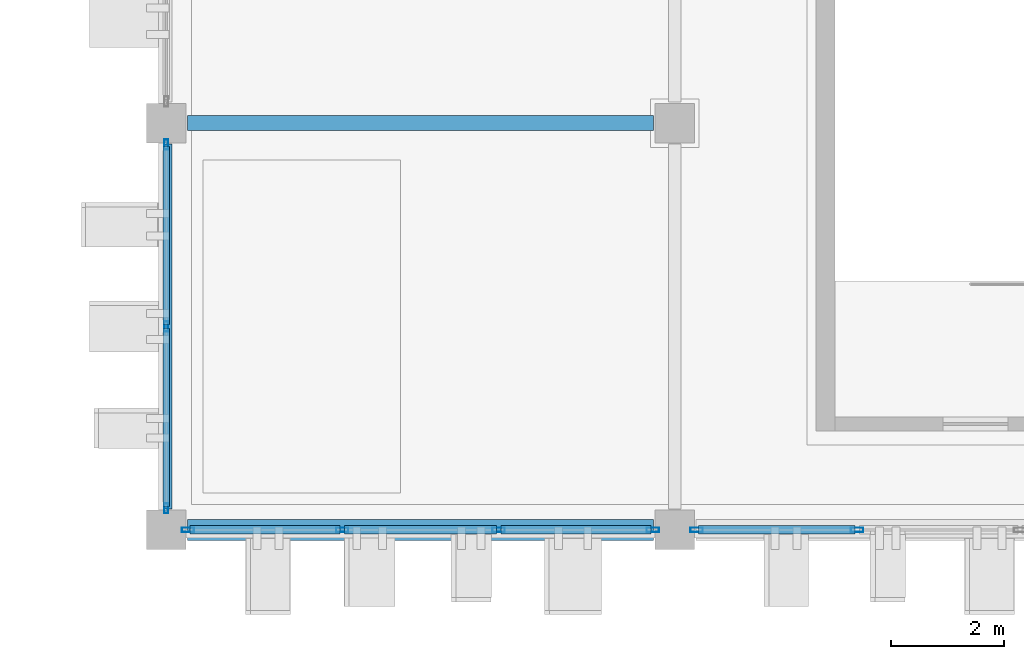
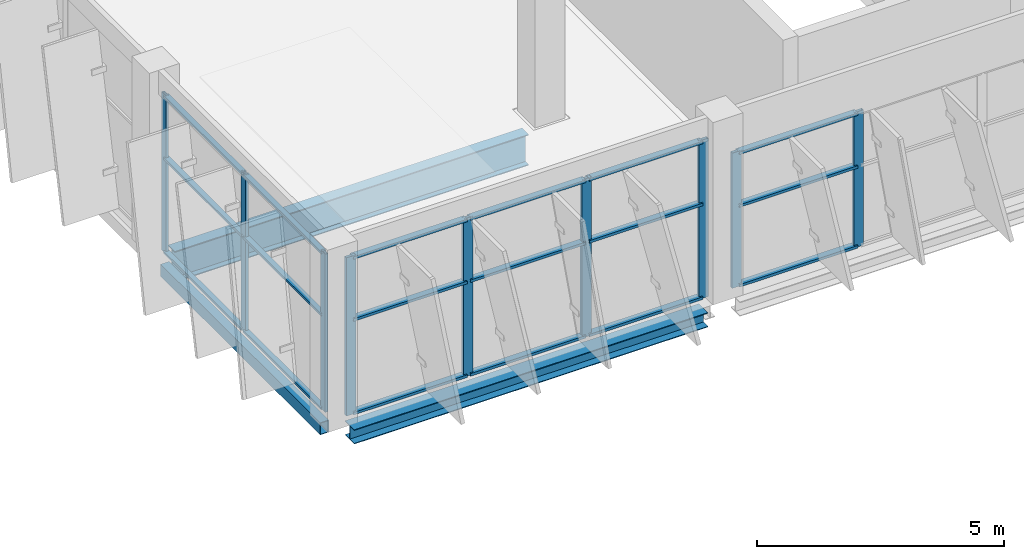
# One storey, part 33 of 151: 27 members, 3 beams, 3 elements without a shape of their own.
"""IFC4 building model written with IfcOpenShell, lengths in metres."""

from ifc_helpers import new_model, si_unit, direction, frame, origin, origin_2d, place, context, subcontext, project, spatial, hollow_rectangle, i_section, extrude, material, layer, layer_set, material_profile, profile_set, type_object, element, aggregate, save


model = new_model("IFC4")

# Units and contexts
model_context = context("Model", 3, precision=1e-05, world=origin(), true_north=direction((0.0, 1.0)))
body_context = subcontext(model_context, "Body", "Model", "MODEL_VIEW")
ifc_project = project(units=[si_unit("LENGTHUNIT", "METRE"), si_unit("AREAUNIT", "SQUARE_METRE"), si_unit("VOLUMEUNIT", "CUBIC_METRE"), si_unit("PLANEANGLEUNIT", "RADIAN"), si_unit("MASSUNIT", "GRAM", prefix="KILO")], contexts=[model_context])

# Site, building, storey
site_placement = place(None, origin())
site = spatial("IfcSite", under=ifc_project, at=site_placement, CompositionType="ELEMENT")
building_placement = place(site_placement, origin())
building = spatial("IfcBuilding", under=site, at=building_placement, Name="Celestram Park Convention Centre", CompositionType="ELEMENT")
storey_placement = place(building_placement, frame((0.0, 0.0, 10.800048828125)))
storey = spatial("IfcBuildingStorey", under=building, at=storey_placement, Name="L02", CompositionType="ELEMENT", Elevation=10.800048828125)

# Curtain wall, members
ifc_material_1 = material(Name="Anodised Aluminium Alloy 6063-T6", Category="aluminium")
ifc_layer_1 = layer(ifc_material_1, 0.179931640625)
ifc_layer_set_1 = layer_set([ifc_layer_1], Name="Anodised Aluminium Alloy 6063-T6")
curtain_wall_type_1 = type_object("IfcCurtainWallType", Name="ARC-CW-650X390", PredefinedType="NOTDEFINED", material=ifc_layer_set_1)
curtain_wall_1_placement = place(storey_placement, origin())
curtain_wall_1 = element("IfcCurtainWall", 1, at=curtain_wall_1_placement, inside=storey, type_object=curtain_wall_type_1, Name="Unitised curtain wall CU-L02-139", PredefinedType="NOTDEFINED")
ifc_material_profile_1 = material_profile(ifc_material_1, hollow_rectangle(XDim=0.06494140625, YDim=0.179931640625, WallThickness=0.00390625, at=origin_2d()), Name="ALU65X180X4")
ifc_profile_set_1 = profile_set([ifc_material_profile_1], Name="Anodised Aluminium Alloy 6063-T6")
member_type_1 = type_object("IfcMemberType", Name="ARC-CWM-150", PredefinedType="MULLION", material=ifc_profile_set_1)
member_1_placement = place(storey_placement, frame((144.0, 0.380615234375, 0.0), z_axis=(0.0, 0.0, 1.0), x_axis=(-1.0, 0.0, 0.0)))
member_1 = element("IfcMember", 2, at=member_1_placement, type_object=member_type_1, Name="CW-65X39 mullion 1", PredefinedType="MULLION", context=body_context, shape_type="SweptSolid", body=[
    extrude(hollow_rectangle(XDim=0.06494140625, YDim=0.179931640625, WallThickness=0.00390625, at=origin_2d()), origin(), (0.0, 0.0, 1.0), 3.904052734375),
])
member_2_placement = place(storey_placement, frame((144.0, 3.60009765625, 0.0), z_axis=(0.0, 0.0, 1.0), x_axis=(-1.0, 0.0, 0.0)))
member_2 = element("IfcMember", 3, at=member_2_placement, type_object=member_type_1, Name="CW-65X39 mullion 2", PredefinedType="MULLION", context=body_context, shape_type="SweptSolid", body=[
    extrude(hollow_rectangle(XDim=0.06494140625, YDim=0.179931640625, WallThickness=0.00390625, at=origin_2d()), origin(), (0.0, 0.0, 1.0), 3.904052734375),
])
member_3_placement = place(storey_placement, frame((144.0, 6.819580078125, 0.0), z_axis=(0.0, 0.0, 1.0), x_axis=(-1.0, 0.0, 0.0)))
member_3 = element("IfcMember", 4, at=member_3_placement, type_object=member_type_1, Name="CW-65X39 mullion 3", PredefinedType="MULLION", context=body_context, shape_type="SweptSolid", body=[
    extrude(hollow_rectangle(XDim=0.06494140625, YDim=0.179931640625, WallThickness=0.00390625, at=origin_2d()), origin(), (0.0, 0.0, 1.0), 3.904052734375),
])

ifc_layer_2 = layer(ifc_material_1, 0.179931640625)
ifc_layer_set_2 = layer_set([ifc_layer_2], Name="Anodised Aluminium Alloy 6063-T6")
curtain_wall_type_2 = type_object("IfcCurtainWallType", Name="ARC-CW-864X334", PredefinedType="NOTDEFINED", material=ifc_layer_set_2)
curtain_wall_2_placement = place(storey_placement, origin())
curtain_wall_2 = element("IfcCurtainWall", 5, at=curtain_wall_2_placement, inside=storey, type_object=curtain_wall_type_2, Name="Unitised curtain wall CU-L02-137", PredefinedType="NOTDEFINED")
ifc_material_profile_2 = material_profile(ifc_material_1, hollow_rectangle(XDim=0.074951171875, YDim=0.219970703125, WallThickness=0.00390625, at=origin_2d()), Name="ALU75X220X4")
ifc_profile_set_2 = profile_set([ifc_material_profile_2], Name="Anodised Aluminium Alloy 6063-T6")
member_type_2 = type_object("IfcMemberType", Name="ARC-CWM-180", PredefinedType="MULLION", material=ifc_profile_set_2)
member_4_placement = place(storey_placement, frame((156.229736328125, 0.0, 0.0), z_axis=(0.0, 0.0, 1.0), x_axis=(0.0, -1.0, 0.0)))
member_4 = element("IfcMember", 6, at=member_4_placement, type_object=member_type_2, Name="CW-86X33 mullion 3", PredefinedType="MULLION", context=body_context, shape_type="SweptSolid", body=[
    extrude(hollow_rectangle(XDim=0.074951171875, YDim=0.219970703125, WallThickness=0.00390625, at=origin_2d()), origin(), (0.0, 0.0, 1.0), 3.3359375),
])
member_5_placement = place(storey_placement, frame((153.385498046875, 0.0, 0.0), z_axis=(0.0, 0.0, 1.0), x_axis=(0.0, -1.0, 0.0)))
member_5 = element("IfcMember", 7, at=member_5_placement, type_object=member_type_2, Name="CW-86X33 mullion 4", PredefinedType="MULLION", context=body_context, shape_type="SweptSolid", body=[
    extrude(hollow_rectangle(XDim=0.074951171875, YDim=0.219970703125, WallThickness=0.00390625, at=origin_2d()), origin(), (0.0, 0.0, 1.0), 3.3359375),
])

ifc_layer_3 = layer(ifc_material_1, 0.179931640625)
ifc_layer_set_3 = layer_set([ifc_layer_3], Name="Anodised Aluminium Alloy 6063-T6")
curtain_wall_type_3 = type_object("IfcCurtainWallType", Name="ARC-CW-830X390", PredefinedType="NOTDEFINED", material=ifc_layer_set_3)
curtain_wall_3_placement = place(storey_placement, origin())
curtain_wall_3 = element("IfcCurtainWall", 8, at=curtain_wall_3_placement, inside=storey, type_object=curtain_wall_type_3, Name="Unitised curtain wall CU-L02-138", PredefinedType="NOTDEFINED")
member_6_placement = place(storey_placement, frame((152.614501953125, 0.0, 0.0), z_axis=(0.0, 0.0, 1.0), x_axis=(0.0, -1.0, 0.0)))
member_6 = element("IfcMember", 9, at=member_6_placement, type_object=member_type_2, Name="CW-83X39 mullion 1", PredefinedType="MULLION", context=body_context, shape_type="SweptSolid", body=[
    extrude(hollow_rectangle(XDim=0.074951171875, YDim=0.219970703125, WallThickness=0.00390625, at=origin_2d()), origin(), (0.0, 0.0, 1.0), 3.904052734375),
])
member_7_placement = place(storey_placement, frame((149.884033203125, 0.0, 0.0), z_axis=(0.0, 0.0, 1.0), x_axis=(0.0, -1.0, 0.0)))
member_7 = element("IfcMember", 10, at=member_7_placement, type_object=member_type_2, Name="CW-83X39 mullion 2", PredefinedType="MULLION", context=body_context, shape_type="SweptSolid", body=[
    extrude(hollow_rectangle(XDim=0.074951171875, YDim=0.219970703125, WallThickness=0.00390625, at=origin_2d()), origin(), (0.0, 0.0, 1.0), 3.904052734375),
])
member_8_placement = place(storey_placement, frame((147.115966796875, 0.0, 0.0), z_axis=(0.0, 0.0, 1.0), x_axis=(0.0, -1.0, 0.0)))
member_8 = element("IfcMember", 11, at=member_8_placement, type_object=member_type_2, Name="CW-83X39 mullion 3", PredefinedType="MULLION", context=body_context, shape_type="SweptSolid", body=[
    extrude(hollow_rectangle(XDim=0.074951171875, YDim=0.219970703125, WallThickness=0.00390625, at=origin_2d()), origin(), (0.0, 0.0, 1.0), 3.904052734375),
])
member_9_placement = place(storey_placement, frame((144.385498046875, 0.0, 0.0), z_axis=(0.0, 0.0, 1.0), x_axis=(0.0, -1.0, 0.0)))
member_9 = element("IfcMember", 12, at=member_9_placement, type_object=member_type_2, Name="CW-83X39 mullion 4", PredefinedType="MULLION", context=body_context, shape_type="SweptSolid", body=[
    extrude(hollow_rectangle(XDim=0.074951171875, YDim=0.219970703125, WallThickness=0.00390625, at=origin_2d()), origin(), (0.0, 0.0, 1.0), 3.904052734375),
])

# Member
ifc_material_profile_3 = material_profile(ifc_material_1, hollow_rectangle(XDim=0.1201171875, YDim=0.06005859375, WallThickness=0.0029296875, at=origin_2d()), Name="ALU120X60X3")
ifc_profile_set_3 = profile_set([ifc_material_profile_3], Name="Anodised Aluminium Alloy 6063-T6")
member_type_3 = type_object("IfcMemberType", Name="ARC-CWT-120", PredefinedType="USERDEFINED", material=ifc_profile_set_3)
member_10_placement = place(storey_placement, frame((144.0, 0.4130859375, 0.030029296875), z_axis=(0.0, 1.0, 0.0), x_axis=(-1.0, 0.0, 0.0)))
member_10 = element("IfcMember", 13, at=member_10_placement, type_object=member_type_3, Name="CW-65X39 transom 1.1", ObjectType="TRANSOM", PredefinedType="USERDEFINED", context=body_context, shape_type="SweptSolid", body=[
    extrude(hollow_rectangle(XDim=0.1201171875, YDim=0.06005859375, WallThickness=0.0029296875, at=origin_2d()), origin(), (0.0, 0.0, 1.0), 3.154296875),
])

member_11_placement = place(storey_placement, frame((144.0, 0.4130859375, 2.342041015625), z_axis=(0.0, 1.0, 0.0), x_axis=(-1.0, 0.0, 0.0)))
member_11 = element("IfcMember", 14, at=member_11_placement, type_object=member_type_3, Name="CW-65X39 transom 1.2", ObjectType="TRANSOM", PredefinedType="USERDEFINED", context=body_context, shape_type="SweptSolid", body=[
    extrude(hollow_rectangle(XDim=0.1201171875, YDim=0.06005859375, WallThickness=0.0029296875, at=origin_2d()), origin(), (0.0, 0.0, 1.0), 3.154296875),
])

member_12_placement = place(storey_placement, frame((144.0, 0.4130859375, 3.8740234375), z_axis=(0.0, 1.0, 0.0), x_axis=(-1.0, 0.0, 0.0)))
member_12 = element("IfcMember", 15, at=member_12_placement, type_object=member_type_3, Name="CW-65X39 transom 1.3", ObjectType="TRANSOM", PredefinedType="USERDEFINED", context=body_context, shape_type="SweptSolid", body=[
    extrude(hollow_rectangle(XDim=0.1201171875, YDim=0.06005859375, WallThickness=0.0029296875, at=origin_2d()), origin(), (0.0, 0.0, 1.0), 3.154296875),
])

member_13_placement = place(storey_placement, frame((144.0, 3.632568359375, 0.030029296875), z_axis=(0.0, 1.0, 0.0), x_axis=(-1.0, 0.0, 0.0)))
member_13 = element("IfcMember", 16, at=member_13_placement, type_object=member_type_3, Name="CW-65X39 transom 2.1", ObjectType="TRANSOM", PredefinedType="USERDEFINED", context=body_context, shape_type="SweptSolid", body=[
    extrude(hollow_rectangle(XDim=0.1201171875, YDim=0.06005859375, WallThickness=0.0029296875, at=origin_2d()), origin(), (0.0, 0.0, 1.0), 3.154541015625),
])

member_14_placement = place(storey_placement, frame((144.0, 3.632568359375, 2.342041015625), z_axis=(0.0, 1.0, 0.0), x_axis=(-1.0, 0.0, 0.0)))
member_14 = element("IfcMember", 17, at=member_14_placement, type_object=member_type_3, Name="CW-65X39 transom 2.2", ObjectType="TRANSOM", PredefinedType="USERDEFINED", context=body_context, shape_type="SweptSolid", body=[
    extrude(hollow_rectangle(XDim=0.1201171875, YDim=0.06005859375, WallThickness=0.0029296875, at=origin_2d()), origin(), (0.0, 0.0, 1.0), 3.154541015625),
])

member_15_placement = place(storey_placement, frame((144.0, 3.632568359375, 3.8740234375), z_axis=(0.0, 1.0, 0.0), x_axis=(-1.0, 0.0, 0.0)))
member_15 = element("IfcMember", 18, at=member_15_placement, type_object=member_type_3, Name="CW-65X39 transom 2.3", ObjectType="TRANSOM", PredefinedType="USERDEFINED", context=body_context, shape_type="SweptSolid", body=[
    extrude(hollow_rectangle(XDim=0.1201171875, YDim=0.06005859375, WallThickness=0.0029296875, at=origin_2d()), origin(), (0.0, 0.0, 1.0), 3.154541015625),
])

aggregate(curtain_wall_1, [member_1, member_2, member_3, member_10, member_11, member_12, member_13, member_14, member_15])

ifc_material_profile_4 = material_profile(ifc_material_1, hollow_rectangle(XDim=0.14990234375, YDim=0.06494140625, WallThickness=0.0029296875, at=origin_2d()), Name="ALU150X65X3")
ifc_profile_set_4 = profile_set([ifc_material_profile_4], Name="Anodised Aluminium Alloy 6063-T6")
member_type_4 = type_object("IfcMemberType", Name="ARC-CWT-150", PredefinedType="USERDEFINED", material=ifc_profile_set_4)
member_16_placement = place(storey_placement, frame((156.192138671875, 0.0, 0.032470703125), z_axis=(-1.0, 0.0, 0.0), x_axis=(0.0, -1.0, 0.0)))
member_16 = element("IfcMember", 19, at=member_16_placement, type_object=member_type_4, Name="CW-86X33 transom 3.1", ObjectType="TRANSOM", PredefinedType="USERDEFINED", context=body_context, shape_type="SweptSolid", body=[
    extrude(hollow_rectangle(XDim=0.14990234375, YDim=0.06494140625, WallThickness=0.0029296875, at=origin_2d()), origin(), (0.0, 0.0, 1.0), 2.76904296875),
])

member_17_placement = place(storey_placement, frame((156.192138671875, 0.0, 2.001953125), z_axis=(-1.0, 0.0, 0.0), x_axis=(0.0, -1.0, 0.0)))
member_17 = element("IfcMember", 20, at=member_17_placement, type_object=member_type_4, Name="CW-86X33 transom 3.2", ObjectType="TRANSOM", PredefinedType="USERDEFINED", context=body_context, shape_type="SweptSolid", body=[
    extrude(hollow_rectangle(XDim=0.14990234375, YDim=0.06494140625, WallThickness=0.0029296875, at=origin_2d()), origin(), (0.0, 0.0, 1.0), 2.76904296875),
])

member_18_placement = place(storey_placement, frame((156.192138671875, 0.0, 3.303466796875), z_axis=(-1.0, 0.0, 0.0), x_axis=(0.0, -1.0, 0.0)))
member_18 = element("IfcMember", 21, at=member_18_placement, type_object=member_type_4, Name="CW-86X33 transom 3.3", ObjectType="TRANSOM", PredefinedType="USERDEFINED", context=body_context, shape_type="SweptSolid", body=[
    extrude(hollow_rectangle(XDim=0.14990234375, YDim=0.06494140625, WallThickness=0.0029296875, at=origin_2d()), origin(), (0.0, 0.0, 1.0), 2.76904296875),
])

aggregate(curtain_wall_2, [member_4, member_5, member_16, member_17, member_18])

member_19_placement = place(storey_placement, frame((152.576904296875, 0.0, 0.032470703125), z_axis=(-1.0, 0.0, 0.0), x_axis=(0.0, -1.0, 0.0)))
member_19 = element("IfcMember", 22, at=member_19_placement, type_object=member_type_4, Name="CW-83X39 transom 1.1", ObjectType="TRANSOM", PredefinedType="USERDEFINED", context=body_context, shape_type="SweptSolid", body=[
    extrude(hollow_rectangle(XDim=0.14990234375, YDim=0.06494140625, WallThickness=0.0029296875, at=origin_2d()), origin(), (0.0, 0.0, 1.0), 2.655517578125),
])

member_20_placement = place(storey_placement, frame((152.576904296875, 0.0, 2.342041015625), z_axis=(-1.0, 0.0, 0.0), x_axis=(0.0, -1.0, 0.0)))
member_20 = element("IfcMember", 23, at=member_20_placement, type_object=member_type_4, Name="CW-83X39 transom 1.2", ObjectType="TRANSOM", PredefinedType="USERDEFINED", context=body_context, shape_type="SweptSolid", body=[
    extrude(hollow_rectangle(XDim=0.14990234375, YDim=0.06494140625, WallThickness=0.0029296875, at=origin_2d()), origin(), (0.0, 0.0, 1.0), 2.655517578125),
])

member_21_placement = place(storey_placement, frame((152.576904296875, 0.0, 3.871337890625), z_axis=(-1.0, 0.0, 0.0), x_axis=(0.0, -1.0, 0.0)))
member_21 = element("IfcMember", 24, at=member_21_placement, type_object=member_type_4, Name="CW-83X39 transom 1.3", ObjectType="TRANSOM", PredefinedType="USERDEFINED", context=body_context, shape_type="SweptSolid", body=[
    extrude(hollow_rectangle(XDim=0.14990234375, YDim=0.06494140625, WallThickness=0.0029296875, at=origin_2d()), origin(), (0.0, 0.0, 1.0), 2.655517578125),
])

member_22_placement = place(storey_placement, frame((149.846435546875, 0.0, 0.032470703125), z_axis=(-1.0, 0.0, 0.0), x_axis=(0.0, -1.0, 0.0)))
member_22 = element("IfcMember", 25, at=member_22_placement, type_object=member_type_4, Name="CW-83X39 transom 2.1", ObjectType="TRANSOM", PredefinedType="USERDEFINED", context=body_context, shape_type="SweptSolid", body=[
    extrude(hollow_rectangle(XDim=0.14990234375, YDim=0.06494140625, WallThickness=0.0029296875, at=origin_2d()), origin(), (0.0, 0.0, 1.0), 2.69287109375),
])

member_23_placement = place(storey_placement, frame((149.846435546875, 0.0, 2.342041015625), z_axis=(-1.0, 0.0, 0.0), x_axis=(0.0, -1.0, 0.0)))
member_23 = element("IfcMember", 26, at=member_23_placement, type_object=member_type_4, Name="CW-83X39 transom 2.2", ObjectType="TRANSOM", PredefinedType="USERDEFINED", context=body_context, shape_type="SweptSolid", body=[
    extrude(hollow_rectangle(XDim=0.14990234375, YDim=0.06494140625, WallThickness=0.0029296875, at=origin_2d()), origin(), (0.0, 0.0, 1.0), 2.69287109375),
])

member_24_placement = place(storey_placement, frame((149.846435546875, 0.0, 3.871337890625), z_axis=(-1.0, 0.0, 0.0), x_axis=(0.0, -1.0, 0.0)))
member_24 = element("IfcMember", 27, at=member_24_placement, type_object=member_type_4, Name="CW-83X39 transom 2.3", ObjectType="TRANSOM", PredefinedType="USERDEFINED", context=body_context, shape_type="SweptSolid", body=[
    extrude(hollow_rectangle(XDim=0.14990234375, YDim=0.06494140625, WallThickness=0.0029296875, at=origin_2d()), origin(), (0.0, 0.0, 1.0), 2.69287109375),
])

member_25_placement = place(storey_placement, frame((147.07861328125, 0.0, 0.032470703125), z_axis=(-1.0, 0.0, 0.0), x_axis=(0.0, -1.0, 0.0)))
member_25 = element("IfcMember", 28, at=member_25_placement, type_object=member_type_4, Name="CW-83X39 transom 3.1", ObjectType="TRANSOM", PredefinedType="USERDEFINED", context=body_context, shape_type="SweptSolid", body=[
    extrude(hollow_rectangle(XDim=0.14990234375, YDim=0.06494140625, WallThickness=0.0029296875, at=origin_2d()), origin(), (0.0, 0.0, 1.0), 2.655517578125),
])

member_26_placement = place(storey_placement, frame((147.07861328125, 0.0, 2.342041015625), z_axis=(-1.0, 0.0, 0.0), x_axis=(0.0, -1.0, 0.0)))
member_26 = element("IfcMember", 29, at=member_26_placement, type_object=member_type_4, Name="CW-83X39 transom 3.2", ObjectType="TRANSOM", PredefinedType="USERDEFINED", context=body_context, shape_type="SweptSolid", body=[
    extrude(hollow_rectangle(XDim=0.14990234375, YDim=0.06494140625, WallThickness=0.0029296875, at=origin_2d()), origin(), (0.0, 0.0, 1.0), 2.655517578125),
])

member_27_placement = place(storey_placement, frame((147.07861328125, 0.0, 3.871337890625), z_axis=(-1.0, 0.0, 0.0), x_axis=(0.0, -1.0, 0.0)))
member_27 = element("IfcMember", 30, at=member_27_placement, type_object=member_type_4, Name="CW-83X39 transom 3.3", ObjectType="TRANSOM", PredefinedType="USERDEFINED", context=body_context, shape_type="SweptSolid", body=[
    extrude(hollow_rectangle(XDim=0.14990234375, YDim=0.06494140625, WallThickness=0.0029296875, at=origin_2d()), origin(), (0.0, 0.0, 1.0), 2.655517578125),
])

aggregate(curtain_wall_3, [member_6, member_7, member_8, member_9, member_19, member_20, member_21, member_22, member_23, member_24, member_25, member_26, member_27])

# Beams
ifc_material_2 = material(Name="Steel ASTM A992 Grade 50", Category="steel")
ifc_material_profile_5 = material_profile(ifc_material_2, i_section(OverallWidth=0.26708984375, OverallDepth=0.761962890625, WebThickness=0.014404296875, FlangeThickness=0.021484375, at=origin_2d()), Name="W30X116")
ifc_profile_set_5 = profile_set([ifc_material_profile_5], Name="Steel ASTM A992 Grade 50")
beam_type_1 = type_object("IfcBeamType", Name="STR-BM-W30X116", PredefinedType="BEAM", material=ifc_profile_set_5)
beam_1_placement = place(storey_placement, frame((144.373046875, 7.199951171875, -0.6611328125), z_axis=(1.0, 0.0, 0.0), x_axis=(0.0, 1.0, 0.0)))
element("IfcBeam", 31, at=beam_1_placement, inside=storey, type_object=beam_type_1, Name="Primary X-girder BG-L02-0235", PredefinedType="BEAM", context=body_context, shape_type="SweptSolid", body=[
    extrude(i_section(OverallWidth=0.26708984375, OverallDepth=0.761962890625, WebThickness=0.014404296875, FlangeThickness=0.021484375, at=origin_2d()), origin(), (0.0, 0.0, 1.0), 8.25390625),
])
ifc_material_3 = material(Name="Steel ASTM A500 Grade C", Category="steel")
ifc_material_profile_6 = material_profile(ifc_material_3, hollow_rectangle(XDim=0.199951171875, YDim=0.300048828125, WallThickness=0.011962890625, at=origin_2d()), Name="HSS300X200X12")
ifc_profile_set_6 = profile_set([ifc_material_profile_6], Name="Steel ASTM A500 Grade C")
beam_type_2 = type_object("IfcBeamType", Name="STR-SPN-HSS300X200", PredefinedType="SPANDREL", material=ifc_profile_set_6)
beam_2_placement = place(storey_placement, frame((144.0, 0.373046875, -0.429931640625), z_axis=(0.0, 1.0, 0.0), x_axis=(-1.0, 0.0, 0.0)))
element("IfcBeam", 32, at=beam_2_placement, inside=storey, type_object=beam_type_2, Name="Primary Y-girder BG-L02-0234", PredefinedType="SPANDREL", context=body_context, shape_type="SweptSolid", body=[
    extrude(hollow_rectangle(XDim=0.199951171875, YDim=0.300048828125, WallThickness=0.011962890625, at=origin_2d()), origin(), (0.0, 0.0, 1.0), 6.453857421875),
])
ifc_material_profile_7 = material_profile(ifc_material_2, i_section(OverallWidth=0.367919921875, OverallDepth=0.35595703125, WebThickness=0.01123046875, FlangeThickness=0.01806640625, at=origin_2d()), Name="W14X90")
ifc_profile_set_7 = profile_set([ifc_material_profile_7], Name="Steel ASTM A992 Grade 50")
beam_type_3 = type_object("IfcBeamType", Name="STR-SPN-W14X90", PredefinedType="SPANDREL", material=ifc_profile_set_7)
beam_3_placement = place(storey_placement, frame((144.373046875, 0.0, -0.4580078125), z_axis=(1.0, 0.0, 0.0), x_axis=(0.0, 1.0, 0.0)))
element("IfcBeam", 33, at=beam_3_placement, inside=storey, type_object=beam_type_3, Name="Primary X-girder BG-L02-0233", PredefinedType="SPANDREL", context=body_context, shape_type="SweptSolid", body=[
    extrude(i_section(OverallWidth=0.367919921875, OverallDepth=0.35595703125, WebThickness=0.01123046875, FlangeThickness=0.01806640625, at=origin_2d()), origin(), (0.0, 0.0, 1.0), 8.25390625),
])

save(model, "model.ifc")
